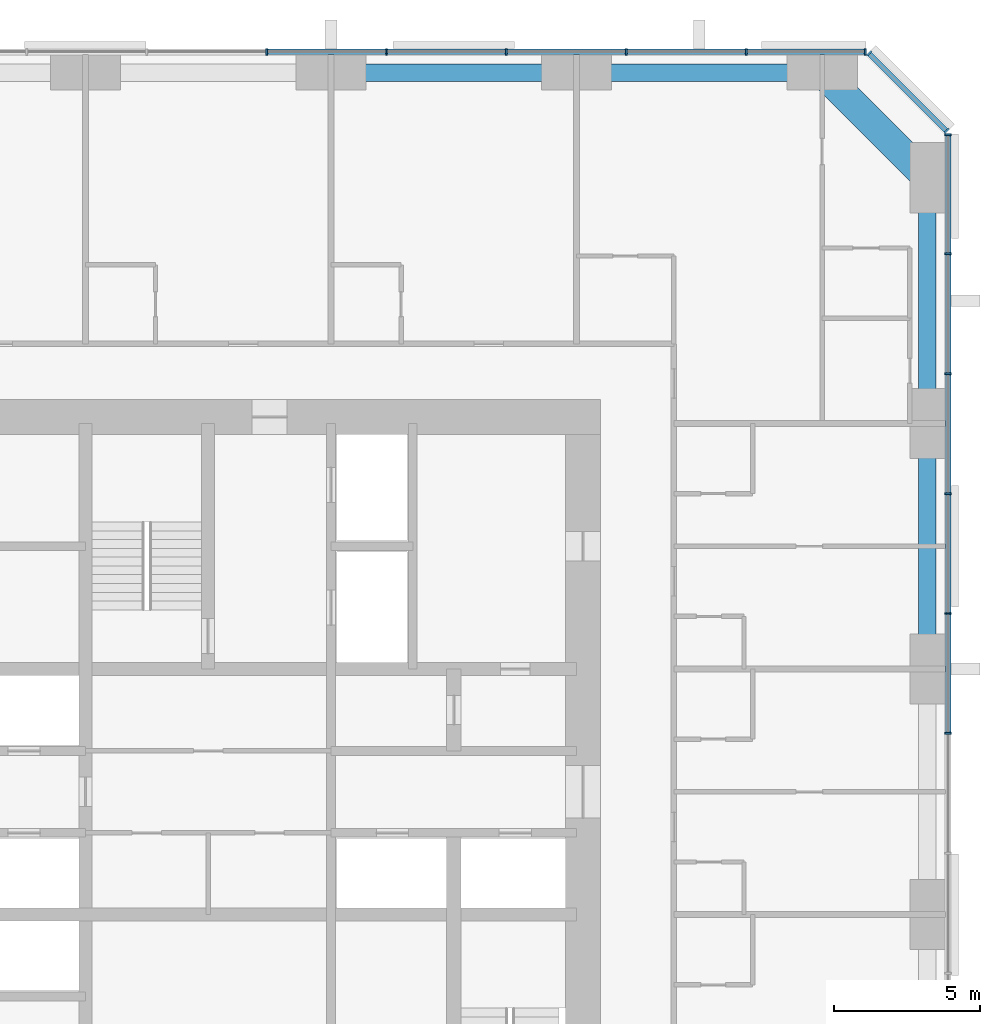
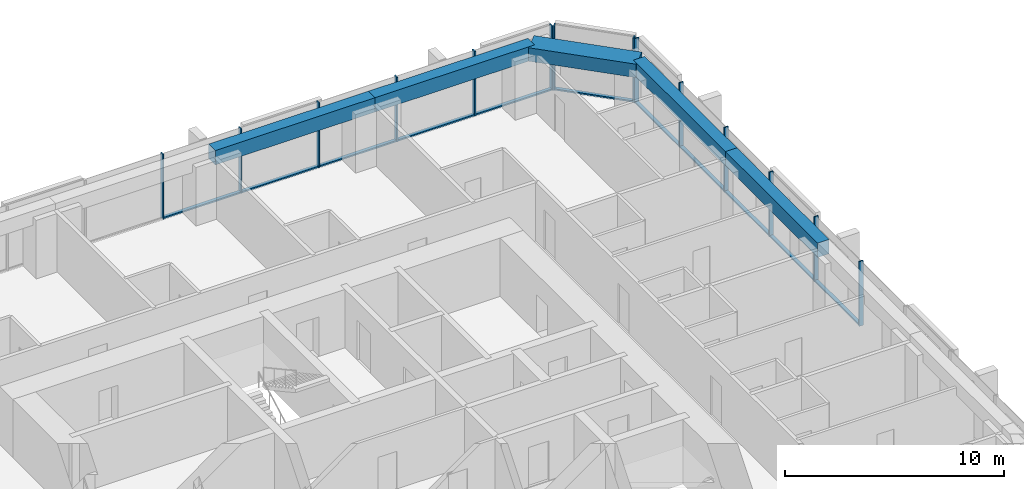
# One storey, part 6 of 13: 25 members, 5 beams, 3 elements without a shape of their own.
"""IFC4 building model written with IfcOpenShell, lengths in metres."""

from ifc_helpers import new_model, si_unit, direction, frame, origin, origin_2d, place, context, subcontext, project, spatial, rectangle, extrude, material, material_profile, profile_set, type_object, element, aggregate, save


model = new_model("IFC4")

# Units and contexts
model_context = context("Model", 3, precision=1e-05, world=origin(), true_north=direction((0.0, 1.0)))
body_context = subcontext(model_context, "Body", "Model", "MODEL_VIEW")
ifc_project = project(units=[si_unit("LENGTHUNIT", "METRE"), si_unit("AREAUNIT", "SQUARE_METRE"), si_unit("VOLUMEUNIT", "CUBIC_METRE"), si_unit("PLANEANGLEUNIT", "RADIAN"), si_unit("MASSUNIT", "GRAM", prefix="KILO")], contexts=[model_context])

# Site, building, storey
site_placement = place(None, origin())
site = spatial("IfcSite", under=ifc_project, at=site_placement, CompositionType="ELEMENT")
building_placement = place(site_placement, origin())
building = spatial("IfcBuilding", under=site, at=building_placement, Name="Dunama Terrace Hotel", CompositionType="ELEMENT")
storey_placement = place(building_placement, frame((0.0, 0.0, 111.60009765625)))
storey = spatial("IfcBuildingStorey", under=building, at=storey_placement, Name="L28", CompositionType="ELEMENT", Elevation=111.60009765625)

# Curtain wall, members
ifc_material_1 = material(Name="Aluminium curtain wall system", Category="aluminium")
curtain_wall_type = type_object("IfcCurtainWallType", Name="Unitised fritted glass wall CW-B", PredefinedType="NOTDEFINED", material=ifc_material_1)
curtain_wall_1_placement = place(storey_placement, origin())
curtain_wall_1 = element("IfcCurtainWall", 1, at=curtain_wall_1_placement, inside=storey, type_object=curtain_wall_type, Name="Unitised fritted glass wall CW-B L28", PredefinedType="NOTDEFINED")
ifc_material_2 = material(Name="Aluminium mullion", Category="aluminium")
ifc_material_profile_1 = material_profile(ifc_material_2, rectangle(XDim=0.06494140625, YDim=0.219970703125, at=origin_2d()), Name="CWB MULLION 65X220")
ifc_profile_set_1 = profile_set([ifc_material_profile_1], Name="Aluminium mullion")
member_type_1 = type_object("IfcMemberType", Name="CWB mullion 65x220", PredefinedType="MULLION", material=ifc_profile_set_1)
member_1_placement = place(storey_placement, frame((54.7099609375, 31.39990234375, 0.0), z_axis=(0.0, 0.0, 1.0), x_axis=(0.0, 1.0, 0.0)))
member_1 = element("IfcMember", 2, at=member_1_placement, type_object=member_type_1, Name="CWB mullion", PredefinedType="MULLION", context=body_context, shape_type="SweptSolid", body=[
    extrude(rectangle(XDim=0.06494140625, YDim=0.219970703125, at=origin_2d()), origin(), (0.0, 0.0, 1.0), 3.599853515625),
])
member_2_placement = place(storey_placement, frame((54.7099609375, 35.5, 0.0), z_axis=(0.0, 0.0, 1.0), x_axis=(0.0, 1.0, 0.0)))
member_2 = element("IfcMember", 3, at=member_2_placement, type_object=member_type_1, Name="CWB mullion", PredefinedType="MULLION", context=body_context, shape_type="SweptSolid", body=[
    extrude(rectangle(XDim=0.06494140625, YDim=0.219970703125, at=origin_2d()), origin(), (0.0, 0.0, 1.0), 3.599853515625),
])
member_3_placement = place(storey_placement, frame((54.7099609375, 39.60009765625, 0.0), z_axis=(0.0, 0.0, 1.0), x_axis=(0.0, 1.0, 0.0)))
member_3 = element("IfcMember", 4, at=member_3_placement, type_object=member_type_1, Name="CWB mullion", PredefinedType="MULLION", context=body_context, shape_type="SweptSolid", body=[
    extrude(rectangle(XDim=0.06494140625, YDim=0.219970703125, at=origin_2d()), origin(), (0.0, 0.0, 1.0), 3.599853515625),
])
member_4_placement = place(storey_placement, frame((54.7099609375, 43.699951171875, 0.0), z_axis=(0.0, 0.0, 1.0), x_axis=(0.0, 1.0, 0.0)))
member_4 = element("IfcMember", 5, at=member_4_placement, type_object=member_type_1, Name="CWB mullion", PredefinedType="MULLION", context=body_context, shape_type="SweptSolid", body=[
    extrude(rectangle(XDim=0.06494140625, YDim=0.219970703125, at=origin_2d()), origin(), (0.0, 0.0, 1.0), 3.599853515625),
])
member_5_placement = place(storey_placement, frame((54.7099609375, 47.800048828125, 0.0), z_axis=(0.0, 0.0, 1.0), x_axis=(0.0, 1.0, 0.0)))
member_5 = element("IfcMember", 6, at=member_5_placement, type_object=member_type_1, Name="CWB mullion", PredefinedType="MULLION", context=body_context, shape_type="SweptSolid", body=[
    extrude(rectangle(XDim=0.06494140625, YDim=0.219970703125, at=origin_2d()), origin(), (0.0, 0.0, 1.0), 3.599853515625),
])
member_6_placement = place(storey_placement, frame((54.7099609375, 51.866943359375, 0.0), z_axis=(0.0, 0.0, 1.0), x_axis=(0.0, 1.0, 0.0)))
member_6 = element("IfcMember", 7, at=member_6_placement, type_object=member_type_1, Name="CWB mullion", PredefinedType="MULLION", context=body_context, shape_type="SweptSolid", body=[
    extrude(rectangle(XDim=0.06494140625, YDim=0.219970703125, at=origin_2d()), origin(), (0.0, 0.0, 1.0), 3.599853515625),
])

curtain_wall_2_placement = place(storey_placement, origin())
curtain_wall_2 = element("IfcCurtainWall", 8, at=curtain_wall_2_placement, inside=storey, type_object=curtain_wall_type, Name="Unitised fritted glass wall CW-B L28", PredefinedType="NOTDEFINED")
member_7_placement = place(storey_placement, frame((54.655029296875, 52.0009765625, 0.0), z_axis=(0.0, 0.0, 1.0), x_axis=(-0.707106781187, 0.707106781187, 0.0)))
member_7 = element("IfcMember", 9, at=member_7_placement, type_object=member_type_1, Name="CWB mullion", PredefinedType="MULLION", context=body_context, shape_type="SweptSolid", body=[
    extrude(rectangle(XDim=0.06494140625, YDim=0.219970703125, at=origin_2d()), origin(), (0.0, 0.0, 1.0), 3.599853515625),
])
member_8_placement = place(storey_placement, frame((52.0009765625, 54.655029296875, 0.0), z_axis=(0.0, 0.0, 1.0), x_axis=(-0.707106781187, 0.707106781187, 0.0)))
member_8 = element("IfcMember", 10, at=member_8_placement, type_object=member_type_1, Name="CWB mullion", PredefinedType="MULLION", context=body_context, shape_type="SweptSolid", body=[
    extrude(rectangle(XDim=0.06494140625, YDim=0.219970703125, at=origin_2d()), origin(), (0.0, 0.0, 1.0), 3.599853515625),
])

curtain_wall_3_placement = place(storey_placement, origin())
curtain_wall_3 = element("IfcCurtainWall", 11, at=curtain_wall_3_placement, inside=storey, type_object=curtain_wall_type, Name="Unitised fritted glass wall CW-B L28", PredefinedType="NOTDEFINED")
member_9_placement = place(storey_placement, frame((51.866943359375, 54.7099609375, 0.0), z_axis=(0.0, 0.0, 1.0), x_axis=(-1.0, 0.0, 0.0)))
member_9 = element("IfcMember", 12, at=member_9_placement, type_object=member_type_1, Name="CWB mullion", PredefinedType="MULLION", context=body_context, shape_type="SweptSolid", body=[
    extrude(rectangle(XDim=0.06494140625, YDim=0.219970703125, at=origin_2d()), origin(), (0.0, 0.0, 1.0), 3.599853515625),
])
member_10_placement = place(storey_placement, frame((47.800048828125, 54.7099609375, 0.0), z_axis=(0.0, 0.0, 1.0), x_axis=(-1.0, 0.0, 0.0)))
member_10 = element("IfcMember", 13, at=member_10_placement, type_object=member_type_1, Name="CWB mullion", PredefinedType="MULLION", context=body_context, shape_type="SweptSolid", body=[
    extrude(rectangle(XDim=0.06494140625, YDim=0.219970703125, at=origin_2d()), origin(), (0.0, 0.0, 1.0), 3.599853515625),
])
member_11_placement = place(storey_placement, frame((43.699951171875, 54.7099609375, 0.0), z_axis=(0.0, 0.0, 1.0), x_axis=(-1.0, 0.0, 0.0)))
member_11 = element("IfcMember", 14, at=member_11_placement, type_object=member_type_1, Name="CWB mullion", PredefinedType="MULLION", context=body_context, shape_type="SweptSolid", body=[
    extrude(rectangle(XDim=0.06494140625, YDim=0.219970703125, at=origin_2d()), origin(), (0.0, 0.0, 1.0), 3.599853515625),
])
member_12_placement = place(storey_placement, frame((39.60009765625, 54.7099609375, 0.0), z_axis=(0.0, 0.0, 1.0), x_axis=(-1.0, 0.0, 0.0)))
member_12 = element("IfcMember", 15, at=member_12_placement, type_object=member_type_1, Name="CWB mullion", PredefinedType="MULLION", context=body_context, shape_type="SweptSolid", body=[
    extrude(rectangle(XDim=0.06494140625, YDim=0.219970703125, at=origin_2d()), origin(), (0.0, 0.0, 1.0), 3.599853515625),
])
member_13_placement = place(storey_placement, frame((35.5, 54.7099609375, 0.0), z_axis=(0.0, 0.0, 1.0), x_axis=(-1.0, 0.0, 0.0)))
member_13 = element("IfcMember", 16, at=member_13_placement, type_object=member_type_1, Name="CWB mullion", PredefinedType="MULLION", context=body_context, shape_type="SweptSolid", body=[
    extrude(rectangle(XDim=0.06494140625, YDim=0.219970703125, at=origin_2d()), origin(), (0.0, 0.0, 1.0), 3.599853515625),
])
member_14_placement = place(storey_placement, frame((31.39990234375, 54.7099609375, 0.0), z_axis=(0.0, 0.0, 1.0), x_axis=(-1.0, 0.0, 0.0)))
member_14 = element("IfcMember", 17, at=member_14_placement, type_object=member_type_1, Name="CWB mullion", PredefinedType="MULLION", context=body_context, shape_type="SweptSolid", body=[
    extrude(rectangle(XDim=0.06494140625, YDim=0.219970703125, at=origin_2d()), origin(), (0.0, 0.0, 1.0), 3.599853515625),
])

# Member
ifc_material_3 = material(Name="Aluminium transom", Category="aluminium")
ifc_material_profile_2 = material_profile(ifc_material_3, rectangle(XDim=0.179931640625, YDim=0.080078125, at=origin_2d()), Name="CWB TRANSOM 180X80")
ifc_profile_set_2 = profile_set([ifc_material_profile_2], Name="Aluminium transom")
member_type_2 = type_object("IfcMemberType", Name="CWB transom 180x80", PredefinedType="USERDEFINED", material=ifc_profile_set_2)
member_15_placement = place(storey_placement, frame((54.7099609375, 31.431884765625, 0.039794921875), z_axis=(0.0, 1.0, 0.0), x_axis=(-1.0, 0.0, 0.0)))
member_15 = element("IfcMember", 18, at=member_15_placement, type_object=member_type_2, Name="CWB transom", ObjectType="TRANSOM", PredefinedType="USERDEFINED", context=body_context, shape_type="SweptSolid", body=[
    extrude(rectangle(XDim=0.179931640625, YDim=0.080078125, at=origin_2d()), origin(), (0.0, 0.0, 1.0), 4.0361328125),
])

member_16_placement = place(storey_placement, frame((54.7099609375, 35.531982421875, 0.039794921875), z_axis=(0.0, 1.0, 0.0), x_axis=(-1.0, 0.0, 0.0)))
member_16 = element("IfcMember", 19, at=member_16_placement, type_object=member_type_2, Name="CWB transom", ObjectType="TRANSOM", PredefinedType="USERDEFINED", context=body_context, shape_type="SweptSolid", body=[
    extrude(rectangle(XDim=0.179931640625, YDim=0.080078125, at=origin_2d()), origin(), (0.0, 0.0, 1.0), 4.0361328125),
])

member_17_placement = place(storey_placement, frame((54.7099609375, 39.633056640625, 0.039794921875), z_axis=(0.0, 1.0, 0.0), x_axis=(-1.0, 0.0, 0.0)))
member_17 = element("IfcMember", 20, at=member_17_placement, type_object=member_type_2, Name="CWB transom", ObjectType="TRANSOM", PredefinedType="USERDEFINED", context=body_context, shape_type="SweptSolid", body=[
    extrude(rectangle(XDim=0.179931640625, YDim=0.080078125, at=origin_2d()), origin(), (0.0, 0.0, 1.0), 4.034912109375),
])

member_18_placement = place(storey_placement, frame((54.7099609375, 43.73291015625, 0.039794921875), z_axis=(0.0, 1.0, 0.0), x_axis=(-1.0, 0.0, 0.0)))
member_18 = element("IfcMember", 21, at=member_18_placement, type_object=member_type_2, Name="CWB transom", ObjectType="TRANSOM", PredefinedType="USERDEFINED", context=body_context, shape_type="SweptSolid", body=[
    extrude(rectangle(XDim=0.179931640625, YDim=0.080078125, at=origin_2d()), origin(), (0.0, 0.0, 1.0), 4.0341796875),
])

member_19_placement = place(storey_placement, frame((54.7099609375, 47.83203125, 0.039794921875), z_axis=(0.0, 1.0, 0.0), x_axis=(-1.0, 0.0, 0.0)))
member_19 = element("IfcMember", 22, at=member_19_placement, type_object=member_type_2, Name="CWB transom", ObjectType="TRANSOM", PredefinedType="USERDEFINED", context=body_context, shape_type="SweptSolid", body=[
    extrude(rectangle(XDim=0.179931640625, YDim=0.080078125, at=origin_2d()), origin(), (0.0, 0.0, 1.0), 4.0029296875),
])

aggregate(curtain_wall_1, [member_1, member_2, member_3, member_4, member_5, member_6, member_15, member_16, member_17, member_18, member_19])

member_20_placement = place(storey_placement, frame((54.632080078125, 52.02392578125, 0.039794921875), z_axis=(-0.707106781187, 0.707106781187, 0.0), x_axis=(-0.707106781187, -0.707106781187, 0.0)))
member_20 = element("IfcMember", 23, at=member_20_placement, type_object=member_type_2, Name="CWB transom", ObjectType="TRANSOM", PredefinedType="USERDEFINED", context=body_context, shape_type="SweptSolid", body=[
    extrude(rectangle(XDim=0.179931640625, YDim=0.080078125, at=origin_2d()), origin(), (0.0, 0.0, 1.0), 3.6884765625),
])

aggregate(curtain_wall_2, [member_7, member_8, member_20])

member_21_placement = place(storey_placement, frame((51.8349609375, 54.7099609375, 0.039794921875), z_axis=(-1.0, 0.0, 0.0), x_axis=(0.0, -1.0, 0.0)))
member_21 = element("IfcMember", 24, at=member_21_placement, type_object=member_type_2, Name="CWB transom", ObjectType="TRANSOM", PredefinedType="USERDEFINED", context=body_context, shape_type="SweptSolid", body=[
    extrude(rectangle(XDim=0.179931640625, YDim=0.080078125, at=origin_2d()), origin(), (0.0, 0.0, 1.0), 4.0029296875),
])

member_22_placement = place(storey_placement, frame((47.76708984375, 54.7099609375, 0.039794921875), z_axis=(-1.0, 0.0, 0.0), x_axis=(0.0, -1.0, 0.0)))
member_22 = element("IfcMember", 25, at=member_22_placement, type_object=member_type_2, Name="CWB transom", ObjectType="TRANSOM", PredefinedType="USERDEFINED", context=body_context, shape_type="SweptSolid", body=[
    extrude(rectangle(XDim=0.179931640625, YDim=0.080078125, at=origin_2d()), origin(), (0.0, 0.0, 1.0), 4.0341796875),
])

member_23_placement = place(storey_placement, frame((43.6669921875, 54.7099609375, 0.039794921875), z_axis=(-1.0, 0.0, 0.0), x_axis=(0.0, -1.0, 0.0)))
member_23 = element("IfcMember", 26, at=member_23_placement, type_object=member_type_2, Name="CWB transom", ObjectType="TRANSOM", PredefinedType="USERDEFINED", context=body_context, shape_type="SweptSolid", body=[
    extrude(rectangle(XDim=0.179931640625, YDim=0.080078125, at=origin_2d()), origin(), (0.0, 0.0, 1.0), 4.033935546875),
])

member_24_placement = place(storey_placement, frame((39.56689453125, 54.7099609375, 0.039794921875), z_axis=(-1.0, 0.0, 0.0), x_axis=(0.0, -1.0, 0.0)))
member_24 = element("IfcMember", 27, at=member_24_placement, type_object=member_type_2, Name="CWB transom", ObjectType="TRANSOM", PredefinedType="USERDEFINED", context=body_context, shape_type="SweptSolid", body=[
    extrude(rectangle(XDim=0.179931640625, YDim=0.080078125, at=origin_2d()), origin(), (0.0, 0.0, 1.0), 4.034912109375),
])

member_25_placement = place(storey_placement, frame((35.468017578125, 54.7099609375, 0.039794921875), z_axis=(-1.0, 0.0, 0.0), x_axis=(0.0, -1.0, 0.0)))
member_25 = element("IfcMember", 28, at=member_25_placement, type_object=member_type_2, Name="CWB transom", ObjectType="TRANSOM", PredefinedType="USERDEFINED", context=body_context, shape_type="SweptSolid", body=[
    extrude(rectangle(XDim=0.179931640625, YDim=0.080078125, at=origin_2d()), origin(), (0.0, 0.0, 1.0), 4.0361328125),
])

aggregate(curtain_wall_3, [member_9, member_10, member_11, member_12, member_13, member_14, member_21, member_22, member_23, member_24, member_25])

# Beams
ifc_material_4 = material(Name="Concrete C50/60", Category="concrete")
ifc_material_profile_3 = material_profile(ifc_material_4, rectangle(XDim=1.0, YDim=0.75, at=origin_2d()), Name="RC 1000x750")
ifc_profile_set_3 = profile_set([ifc_material_profile_3], Name="Concrete C50/60")
beam_type_1 = type_object("IfcBeamType", Name="Edge beam RC 1000x750", PredefinedType="SPANDREL", material=ifc_profile_set_3)
beam_placement = place(storey_placement, frame((50.39990234375, 54.0, 3.224853515625), z_axis=(0.707106781187, -0.707106781187, 0.0), x_axis=(0.707106781187, 0.707106781187, 0.0)))
element("IfcBeam", 29, at=beam_placement, inside=storey, type_object=beam_type_1, Name="Corner edge beam under L29", PredefinedType="SPANDREL", context=body_context, shape_type="SweptSolid", body=[
    extrude(rectangle(XDim=1.0, YDim=0.75, at=origin_2d()), origin(), (0.0, 0.0, 1.0), 5.09130859375),
])
ifc_material_5 = material(Name="Concrete C40/50", Category="concrete")
ifc_material_profile_4 = material_profile(ifc_material_5, rectangle(XDim=0.60009765625, YDim=0.800048828125, at=origin_2d()), Name="RC 600x800")
ifc_profile_set_4 = profile_set([ifc_material_profile_4], Name="Concrete C40/50")
beam_type_2 = type_object("IfcBeamType", Name="Edge beam RC 600x800", PredefinedType="SPANDREL", material=ifc_profile_set_4)
for number, where, z_axis, x_axis, name in (
    (30, (54.0, 33.60009765625, 3.199951171875), (0.0, 1.0, 0.0), (-1.0, 0.0, 0.0), "Edge beam under L29"),
    (31, (54.0, 42.0, 3.199951171875), (0.0, 1.0, 0.0), (-1.0, 0.0, 0.0), "Edge beam under L29"),
    (32, (33.60009765625, 54.0, 3.199951171875), (1.0, 0.0, 0.0), (0.0, 1.0, 0.0), "Edge beam under L29"),
    (33, (42.0, 54.0, 3.199951171875), (1.0, 0.0, 0.0), (0.0, 1.0, 0.0), "Edge beam under L29"),
):
    element("IfcBeam", number, at=place(storey_placement, frame(where, z_axis=z_axis, x_axis=x_axis)), inside=storey, type_object=beam_type_2, Name=name, PredefinedType="SPANDREL", context=body_context, shape_type="SweptSolid", body=[
        extrude(rectangle(XDim=0.60009765625, YDim=0.800048828125, at=origin_2d()), origin(), (0.0, 0.0, 1.0), 8.39990234375),
    ])

save(model, "model.ifc")
